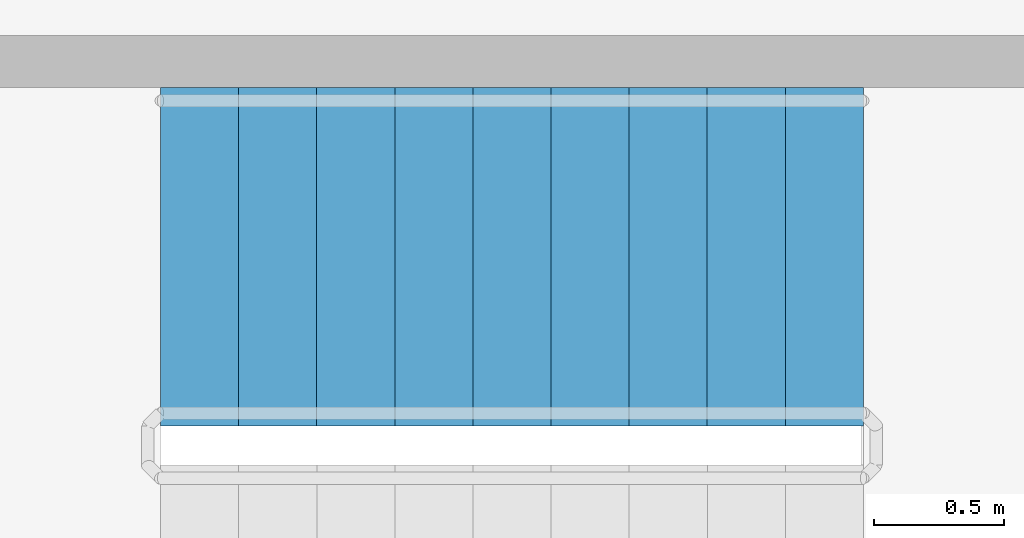
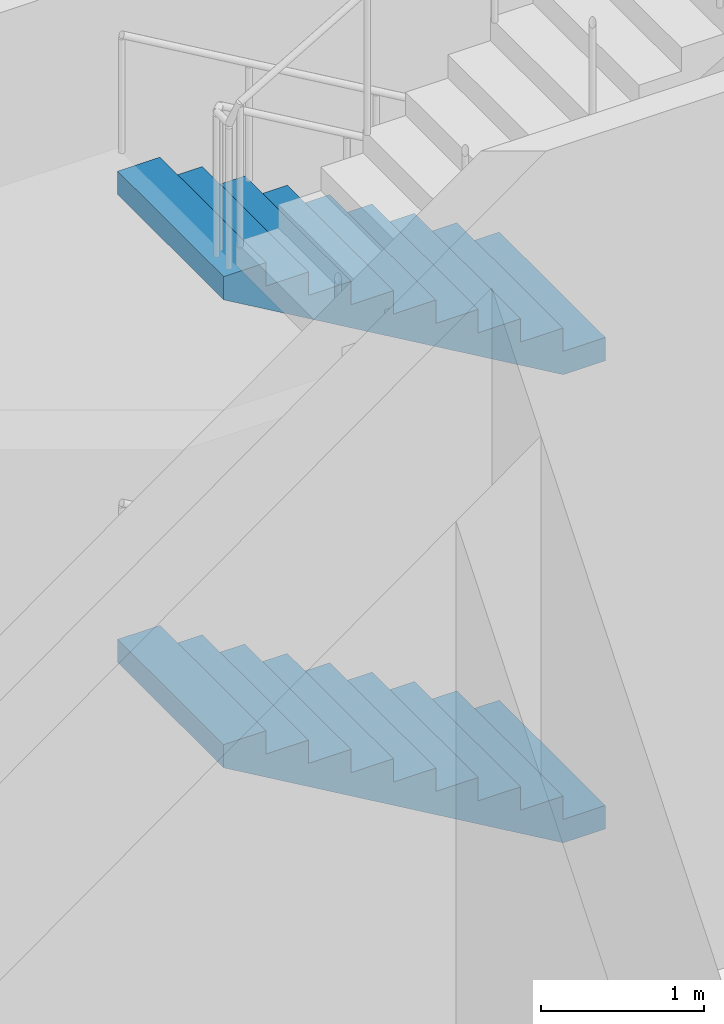
# One storey, part 18 of 21: 2 stair flights, 1 element without a shape of its own.
"""IFC4 building model written with IfcOpenShell, lengths in metres."""

from ifc_helpers import new_model, si_unit, direction, frame, origin, place, context, subcontext, project, spatial, polyline, outline, extrude, material, type_object, element, aggregate, save


model = new_model("IFC4")

# Units and contexts
model_context = context("Model", 3, precision=1e-05, world=origin(), true_north=direction((0.0, 1.0)))
body_context = subcontext(model_context, "Body", "Model", "MODEL_VIEW")
ifc_project = project(units=[si_unit("LENGTHUNIT", "METRE"), si_unit("AREAUNIT", "SQUARE_METRE"), si_unit("VOLUMEUNIT", "CUBIC_METRE"), si_unit("PLANEANGLEUNIT", "RADIAN"), si_unit("MASSUNIT", "GRAM", prefix="KILO")], contexts=[model_context])

# Site, building, storey
site_placement = place(None, origin())
site = spatial("IfcSite", under=ifc_project, at=site_placement, CompositionType="ELEMENT")
building_placement = place(site_placement, origin())
building = spatial("IfcBuilding", under=site, at=building_placement, Name="Corvane Civic Tower", CompositionType="ELEMENT")
storey_placement = place(building_placement, frame((0.0, 0.0, 380.5)))
storey = spatial("IfcBuildingStorey", under=building, at=storey_placement, Name="L91", CompositionType="ELEMENT", Elevation=380.5)

# Stair, stair flights
ifc_material_1 = material(Name="Concrete C40/50", Category="concrete")
stair_type = type_object("IfcStairType", Name="ST-STAIR-HALFTURN", PredefinedType="HALF_TURN_STAIR", material=ifc_material_1)
stair_placement = place(storey_placement, origin())
stair = element("IfcStair", 1, at=stair_placement, inside=storey, type_object=stair_type, Name="L91 Exit stair ST1", PredefinedType="HALF_TURN_STAIR")
ifc_material_2 = material(Name="Concrete C40/50", Category="concrete")
stair_flight_type = type_object("IfcStairFlightType", Name="ST-FLIGHT-RC", PredefinedType="STRAIGHT", material=ifc_material_2)
stair_flight_1_placement = place(storey_placement, frame((8.89990234375, 9.550048828125, 0.0), z_axis=(0.0, 0.0, 1.0), x_axis=(-1.0, 0.0, 0.0)))
stair_flight_1 = element("IfcStairFlight", 2, at=stair_flight_1_placement, type_object=stair_flight_type, Name="ST1 flight 1", NumberOfRisers=10, NumberOfTreads=9, PredefinedType="STRAIGHT", RiserHeight=0.175, TreadLength=0.3, context=body_context, shape_type="SweptSolid", body=[
    extrude(outline(polyline([(0.0, 0.0), (0.0, 0.175048828125), (0.300048828125, 0.175048828125), (0.300048828125, 0.35009765625), (0.60009765625, 0.35009765625), (0.60009765625, 0.52490234375), (0.89990234375, 0.52490234375), (0.89990234375, 0.699951171875), (1.199951171875, 0.699951171875), (1.199951171875, 0.875), (1.5, 0.875), (1.5, 1.050048828125), (1.800048828125, 1.050048828125), (1.800048828125, 1.22509765625), (2.10009765625, 1.22509765625), (2.10009765625, 1.39990234375), (2.39990234375, 1.39990234375), (2.39990234375, 1.574951171875), (2.699951171875, 1.574951171875), (2.699951171875, 1.75), (2.699951171875, 1.4013671875), (0.297607421875, 0.0), (0.0, 0.0)])), frame((0.0, 0.64990234375, 0.0), z_axis=(0.0, -1.0, 0.0), x_axis=(1.0, 0.0, 0.0)), (0.0, 0.0, 1.0), 1.300048828125),
])
stair_flight_2_placement = place(storey_placement, frame((8.89990234375, 9.550048828125, 3.5), z_axis=(0.0, 0.0, 1.0), x_axis=(-1.0, 0.0, 0.0)))
stair_flight_2 = element("IfcStairFlight", 3, at=stair_flight_2_placement, type_object=stair_flight_type, Name="ST1 flight 3", NumberOfRisers=10, NumberOfTreads=9, PredefinedType="STRAIGHT", RiserHeight=0.175, TreadLength=0.3, context=body_context, shape_type="SweptSolid", body=[
    extrude(outline(polyline([(0.0, 0.0), (0.0, 0.175048828125), (0.300048828125, 0.175048828125), (0.300048828125, 0.35009765625), (0.60009765625, 0.35009765625), (0.60009765625, 0.52490234375), (0.89990234375, 0.52490234375), (0.89990234375, 0.699951171875), (1.199951171875, 0.699951171875), (1.199951171875, 0.875), (1.5, 0.875), (1.5, 1.050048828125), (1.800048828125, 1.050048828125), (1.800048828125, 1.22509765625), (2.10009765625, 1.22509765625), (2.10009765625, 1.39990234375), (2.39990234375, 1.39990234375), (2.39990234375, 1.574951171875), (2.699951171875, 1.574951171875), (2.699951171875, 1.75), (2.699951171875, 1.4013671875), (0.297607421875, 0.0), (0.0, 0.0)])), frame((0.0, 0.64990234375, 0.0), z_axis=(0.0, -1.0, 0.0), x_axis=(1.0, 0.0, 0.0)), (0.0, 0.0, 1.0), 1.300048828125),
])
aggregate(stair, [stair_flight_1, stair_flight_2])

save(model, "model.ifc")
